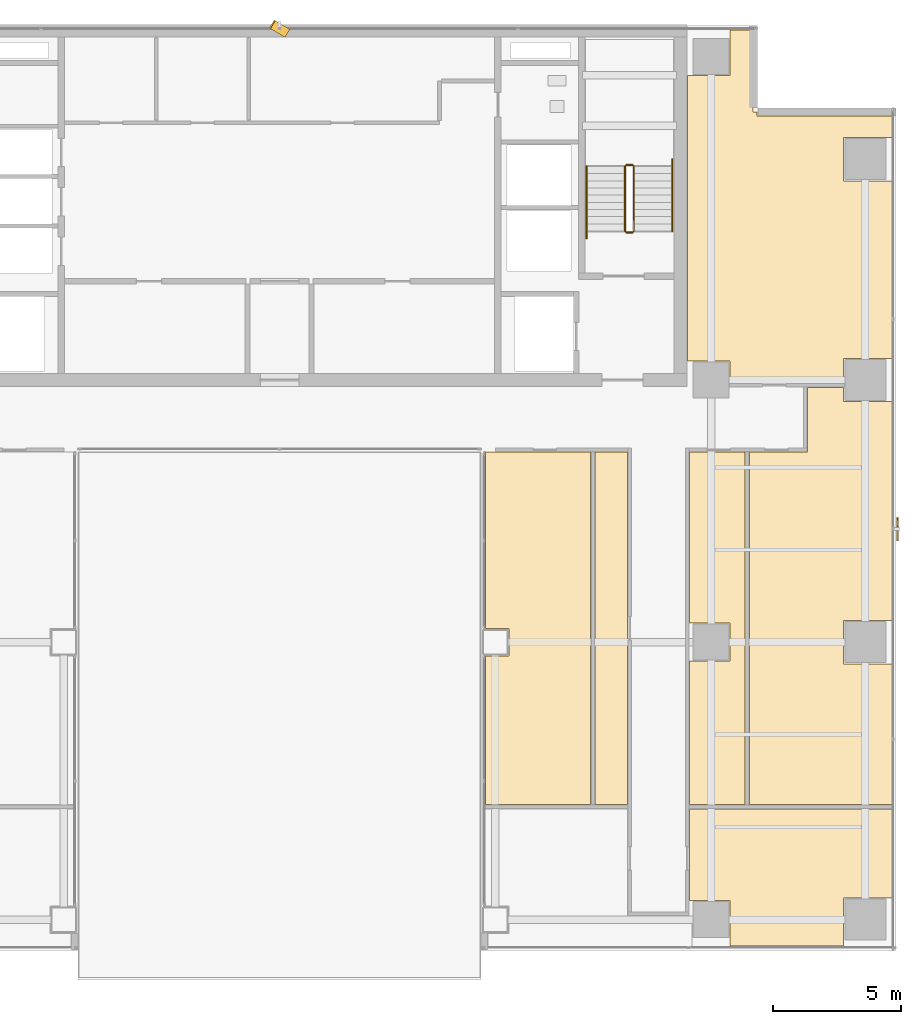
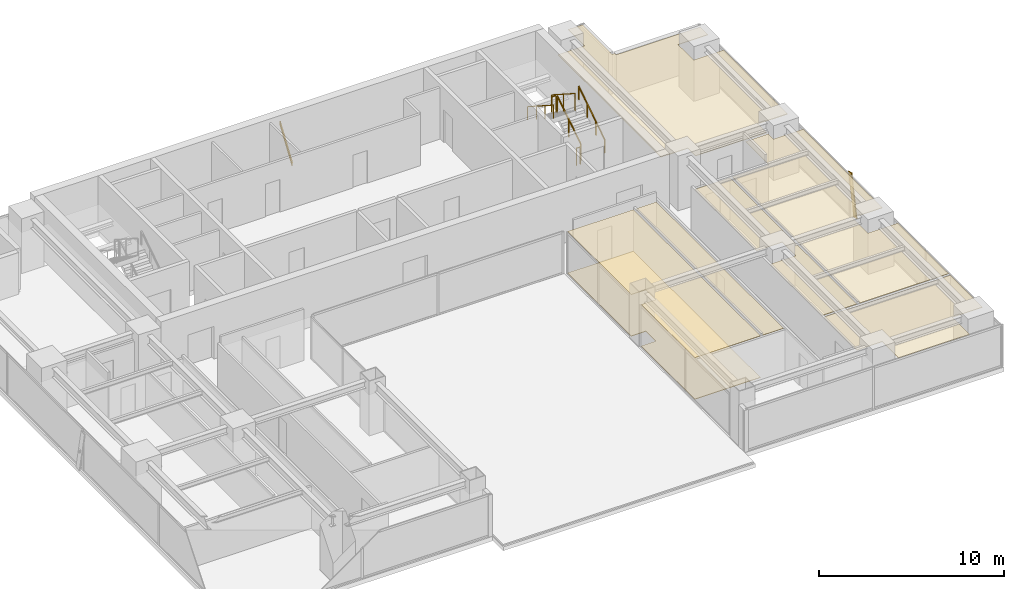
# One storey, part 29 of 30: 7 coverings, 6 railings, 2 shading devices.
"""IFC4 building model written with IfcOpenShell, lengths in metres."""

from ifc_helpers import new_model, si_unit, direction, frame, origin, origin_2d, place, context, subcontext, project, spatial, polyline, rectangle, outline, extrude, source, transform, mapped, material, layer, layer_set, material_profile, profile_set, type_object, element, save


model = new_model("IFC4")

# Units and contexts
model_context = context("Model", 3, precision=1e-05, world=origin(), true_north=direction((0.0, 1.0)))
body_context = subcontext(model_context, "Body", "Model", "MODEL_VIEW")
ifc_project = project(units=[si_unit("LENGTHUNIT", "METRE"), si_unit("AREAUNIT", "SQUARE_METRE"), si_unit("VOLUMEUNIT", "CUBIC_METRE"), si_unit("PLANEANGLEUNIT", "RADIAN"), si_unit("MASSUNIT", "GRAM", prefix="KILO")], contexts=[model_context])

# Site, building, storey
site_placement = place(None, origin())
site = spatial("IfcSite", under=ifc_project, at=site_placement, CompositionType="ELEMENT")
building_placement = place(site_placement, origin())
building = spatial("IfcBuilding", under=site, at=building_placement, Name="Sumidabori Civic Tower", CompositionType="ELEMENT")
storey_placement = place(building_placement, frame((0.0, 0.0, 196.39990234375)))
storey = spatial("IfcBuildingStorey", under=building, at=storey_placement, Name="L50", CompositionType="ELEMENT", Elevation=196.39990234375)

# Coverings
ifc_material_1 = material(Name="Acoustic Mineral Gypsum Ceiling Tile")
ifc_layer_1 = layer(ifc_material_1, 0.034912109375, Name="Acoustic Mineral Gypsum Ceiling Tile")
ifc_layer_set_1 = layer_set([ifc_layer_1], Name="Acoustic Mineral Gypsum Ceiling Tile")
covering_type_1 = type_object("IfcCoveringType", Name="CV-CEIL-AC1", PredefinedType="CEILING", material=ifc_layer_set_1)
covering_1_placement = place(storey_placement, frame((0.0, 0.0, 2.72998046875)))
element("IfcCovering", 1, at=covering_1_placement, inside=storey, type_object=covering_type_1, Name="Room Acoustic Ceiling L50-02", PredefinedType="CEILING", context=body_context, shape_type="SweptSolid", body=[
    extrude(outline(polyline([(20.554931640625, 10.10498046875), (17.5400390625, 10.10498046875), (17.5400390625, 10.93994140625), (15.8779296875, 10.93994140625), (15.8779296875, 22.06005859375), (17.5400390625, 22.06005859375), (17.5400390625, 23.830078125), (18.429931640625, 23.830078125), (18.429931640625, 20.6298828125), (18.592041015625, 20.6298828125), (18.592041015625, 20.471923828125), (23.830078125, 20.471923828125), (23.830078125, 19.639892578125), (21.9599609375, 19.639892578125), (21.9599609375, 17.9599609375), (23.830078125, 17.9599609375), (23.830078125, 11.0400390625), (21.9599609375, 11.0400390625), (21.9599609375, 10.08740234375), (20.554931640625, 10.08740234375), (20.554931640625, 10.10498046875)])), origin(), (0.0, 0.0, 1.0), 0.03515625),
])
covering_2_placement = place(storey_placement, frame((0.0, 0.0, 2.72998046875)))
element("IfcCovering", 2, at=covering_2_placement, inside=storey, type_object=covering_type_1, Name="Room Acoustic Ceiling L50-04", PredefinedType="CEILING", context=body_context, shape_type="SweptSolid", body=[
    extrude(outline(polyline([(18.28759765625, 7.39501953125), (20.554931640625, 7.39501953125), (20.554931640625, 9.91259765625), (21.9599609375, 9.91259765625), (21.9599609375, 9.360107421875), (23.830078125, 9.360107421875), (23.830078125, 0.840087890625), (21.9599609375, 0.840087890625), (21.9599609375, -0.840087890625), (23.830078125, -0.840087890625), (23.830078125, -6.3125), (18.28759765625, -6.3125), (18.28759765625, 7.39501953125)])), origin(), (0.0, 0.0, 1.0), 0.03515625),
])
covering_3_placement = place(storey_placement, frame((0.0, 0.0, 2.72998046875)))
element("IfcCovering", 3, at=covering_3_placement, inside=storey, type_object=covering_type_1, Name="Room Acoustic Ceiling L50-07", PredefinedType="CEILING", context=body_context, shape_type="SweptSolid", body=[
    extrude(outline(polyline([(8.02001953125, -6.3125), (8.02001953125, -0.5400390625), (8.93994140625, -0.5400390625), (8.93994140625, 0.5400390625), (8.02001953125, 0.5400390625), (8.02001953125, 7.39501953125), (12.112548828125, 7.39501953125), (12.112548828125, -6.3125), (8.02001953125, -6.3125)])), origin(), (0.0, 0.0, 1.0), 0.03515625),
])
covering_4_placement = place(storey_placement, frame((0.0, 0.0, 2.72998046875)))
element("IfcCovering", 4, at=covering_4_placement, inside=storey, type_object=covering_type_1, Name="Room Acoustic Ceiling L50-08", PredefinedType="CEILING", context=body_context, shape_type="SweptSolid", body=[
    extrude(outline(polyline([(15.955078125, -0.739990234375), (17.5400390625, -0.739990234375), (17.5400390625, 0.739990234375), (15.955078125, 0.739990234375), (15.955078125, 7.39501953125), (18.112548828125, 7.39501953125), (18.112548828125, -6.3125), (15.955078125, -6.3125), (15.955078125, -0.739990234375)])), origin(), (0.0, 0.0, 1.0), 0.03515625),
])
covering_5_placement = place(storey_placement, frame((0.0, 0.0, 2.72998046875)))
element("IfcCovering", 5, at=covering_5_placement, inside=storey, type_object=covering_type_1, Name="Room Acoustic Ceiling L50-10", PredefinedType="CEILING", context=body_context, shape_type="SweptSolid", body=[
    extrude(outline(polyline([(12.28759765625, -6.3125), (12.28759765625, 7.39501953125), (13.544921875, 7.39501953125), (13.544921875, -6.3125), (12.28759765625, -6.3125)])), origin(), (0.0, 0.0, 1.0), 0.03515625),
])
covering_6_placement = place(storey_placement, frame((0.0, 0.0, 2.72998046875)))
element("IfcCovering", 6, at=covering_6_placement, inside=storey, type_object=covering_type_1, Name="Room Acoustic Ceiling L50-12", PredefinedType="CEILING", context=body_context, shape_type="SweptSolid", body=[
    extrude(outline(polyline([(17.5400390625, -10.06005859375), (15.955078125, -10.06005859375), (15.955078125, -6.487548828125), (23.830078125, -6.487548828125), (23.830078125, -9.9599609375), (21.9599609375, -9.9599609375), (21.9599609375, -11.830078125), (17.5400390625, -11.830078125), (17.5400390625, -10.06005859375)])), origin(), (0.0, 0.0, 1.0), 0.03515625),
])
ifc_material_2 = material(Name="Honed Terrazzo Tile Flooring")
ifc_layer_2 = layer(ifc_material_2, 0.030029296875, Name="Honed Terrazzo Tile Flooring")
ifc_layer_set_2 = layer_set([ifc_layer_2], Name="Honed Terrazzo Tile Flooring")
covering_type_2 = type_object("IfcCoveringType", Name="CV-FLR-TER", PredefinedType="FLOORING", material=ifc_layer_set_2)
covering_7_placement = place(storey_placement, origin())
element("IfcCovering", 7, at=covering_7_placement, inside=storey, type_object=covering_type_2, Name="Room Terrazzo Floor L50-07", PredefinedType="FLOORING", context=body_context, shape_type="SweptSolid", body=[
    extrude(outline(polyline([(8.02001953125, -6.3125), (8.02001953125, -0.5400390625), (8.93994140625, -0.5400390625), (8.93994140625, 0.5400390625), (8.02001953125, 0.5400390625), (8.02001953125, 7.39501953125), (12.112548828125, 7.39501953125), (12.112548828125, -6.3125), (8.02001953125, -6.3125)])), origin(), (0.0, 0.0, 1.0), 0.030029296875),
])

# Railings
ifc_material_3 = material(Name="Stainless Steel Hairline Finish", Category="steel")
railing_type_1 = type_object("IfcRailingType", Name="RL-HANDRAIL", PredefinedType="HANDRAIL", material=ifc_material_3)
railing_1_placement = place(storey_placement, frame((15.2900390625, 16.0, 0.18017578125)))
element("IfcRailing", 8, at=railing_1_placement, inside=storey, type_object=railing_type_1, Name="L50 ST-2 stair handrail 1", PredefinedType="HANDRAIL", context=body_context, shape_type="SweptSolid", body=[
    extrude(rectangle(XDim=0.048095703125, YDim=0.048095703125, at=origin_2d()), frame((0.0, 0.0, 0.8759765625), z_axis=(0.0, 0.840675598268, 0.541539046124), x_axis=(-1.0, 0.0, 0.0)), (0.0, 0.0, 1.0), 3.330810546875),
    extrude(rectangle(XDim=0.0419921875, YDim=0.0419921875, at=origin_2d()), origin(), (0.0, 0.0, 1.0), 0.851806640625),
    extrude(rectangle(XDim=0.0419921875, YDim=0.0419921875, at=origin_2d()), frame((0.0, 0.933349609375, 0.601318359375)), (0.0, 0.0, 1.0), 0.851806640625),
    extrude(rectangle(XDim=0.0419921875, YDim=0.0419921875, at=origin_2d()), frame((0.0, 1.86669921875, 1.202392578125)), (0.0, 0.0, 1.0), 0.851806640625),
    extrude(rectangle(XDim=0.0419921875, YDim=0.0419921875, at=origin_2d()), frame((0.0, 2.800048828125, 1.8037109375)), (0.0, 0.0, 1.0), 0.851806640625),
])
railing_2_placement = place(storey_placement, frame((11.949951171875, 18.52001953125, 1.97998046875)))
element("IfcRailing", 9, at=railing_2_placement, inside=storey, type_object=railing_type_1, Name="L50 ST-2 stair handrail 2", PredefinedType="HANDRAIL", context=body_context, shape_type="SweptSolid", body=[
    extrude(rectangle(XDim=0.048095703125, YDim=0.048095703125, at=origin_2d()), frame((0.0, 0.0, 0.8759765625), z_axis=(0.0, -0.84064222762, 0.54159084662), x_axis=(1.0, 0.0, 0.0)), (0.0, 0.0, 1.0), 3.330810546875),
    extrude(rectangle(XDim=0.0419921875, YDim=0.0419921875, at=origin_2d()), origin(), (0.0, 0.0, 1.0), 0.851806640625),
    extrude(rectangle(XDim=0.0419921875, YDim=0.0419921875, at=origin_2d()), frame((0.0, -0.933349609375, 0.601318359375)), (0.0, 0.0, 1.0), 0.851806640625),
    extrude(rectangle(XDim=0.0419921875, YDim=0.0419921875, at=origin_2d()), frame((0.0, -1.86669921875, 1.20263671875)), (0.0, 0.0, 1.0), 0.851806640625),
    extrude(rectangle(XDim=0.0419921875, YDim=0.0419921875, at=origin_2d()), frame((0.0, -2.800048828125, 1.803955078125)), (0.0, 0.0, 1.0), 0.851806640625),
])
ifc_material_4 = material(Name="Steel SN490", Category="steel")
railing_type_2 = type_object("IfcRailingType", Name="RL-STAIR-GUARD", PredefinedType="GUARDRAIL", material=ifc_material_4)
railing_3_placement = place(storey_placement, frame((13.7900390625, 16.0, 0.18017578125)))
element("IfcRailing", 10, at=railing_3_placement, inside=storey, type_object=railing_type_2, Name="L50 ST-2 stair guard 1", PredefinedType="GUARDRAIL", context=body_context, shape_type="SweptSolid", body=[
    extrude(rectangle(XDim=0.048095703125, YDim=0.048095703125, at=origin_2d()), frame((0.0, 0.0, 1.1259765625), z_axis=(0.0, 0.841199657755, 0.540724639528), x_axis=(-1.0, 0.0, 0.0)), (0.0, 0.0, 1.0), 2.995849609375),
    extrude(rectangle(XDim=0.0419921875, YDim=0.0419921875, at=origin_2d()), origin(), (0.0, 0.0, 1.0), 1.101806640625),
    extrude(rectangle(XDim=0.0419921875, YDim=0.0419921875, at=origin_2d()), frame((0.0, 1.260009765625, 0.81005859375)), (0.0, 0.0, 1.0), 1.101806640625),
    extrude(rectangle(XDim=0.0419921875, YDim=0.0419921875, at=origin_2d()), frame((0.0, 2.52001953125, 1.619873046875)), (0.0, 0.0, 1.0), 1.101806640625),
])
railing_4_placement = place(storey_placement, frame((13.739990234375, 18.570068359375, 1.800048828125)))
element("IfcRailing", 11, at=railing_4_placement, inside=storey, type_object=railing_type_2, Name="L50 ST-2 stair guard 2", PredefinedType="GUARDRAIL", context=body_context, shape_type="SweptSolid", body=[
    extrude(rectangle(XDim=0.048095703125, YDim=0.048095703125, at=origin_2d()), frame((0.0, 0.0, 1.1259765625), z_axis=(-1.0, 0.0, 0.0), x_axis=(0.0, -1.0, 0.0)), (0.0, 0.0, 1.0), 0.239990234375),
    extrude(rectangle(XDim=0.0419921875, YDim=0.0419921875, at=origin_2d()), origin(), (0.0, 0.0, 1.0), 1.101806640625),
    extrude(rectangle(XDim=0.0419921875, YDim=0.0419921875, at=origin_2d()), frame((-0.239990234375, 0.0, 0.0)), (0.0, 0.0, 1.0), 1.101806640625),
])
railing_5_placement = place(storey_placement, frame((13.449951171875, 18.52001953125, 1.97998046875)))
element("IfcRailing", 12, at=railing_5_placement, inside=storey, type_object=railing_type_2, Name="L50 ST-2 stair guard 3", PredefinedType="GUARDRAIL", context=body_context, shape_type="SweptSolid", body=[
    extrude(rectangle(XDim=0.048095703125, YDim=0.048095703125, at=origin_2d()), frame((0.0, 0.0, 1.1259765625), z_axis=(0.0, -0.841162588446, 0.540782303519), x_axis=(1.0, 0.0, 0.0)), (0.0, 0.0, 1.0), 2.995849609375),
    extrude(rectangle(XDim=0.0419921875, YDim=0.0419921875, at=origin_2d()), origin(), (0.0, 0.0, 1.0), 1.101806640625),
    extrude(rectangle(XDim=0.0419921875, YDim=0.0419921875, at=origin_2d()), frame((0.0, -1.260009765625, 0.81005859375)), (0.0, 0.0, 1.0), 1.101806640625),
    extrude(rectangle(XDim=0.0419921875, YDim=0.0419921875, at=origin_2d()), frame((0.0, -2.52001953125, 1.6201171875)), (0.0, 0.0, 1.0), 1.101806640625),
])
railing_6_placement = place(storey_placement, frame((13.739990234375, 15.949951171875, 0.0)))
element("IfcRailing", 13, at=railing_6_placement, inside=storey, type_object=railing_type_2, Name="L50 ST-2 stair guard 4", PredefinedType="GUARDRAIL", context=body_context, shape_type="SweptSolid", body=[
    extrude(rectangle(XDim=0.048095703125, YDim=0.048095703125, at=origin_2d()), frame((0.0, 0.0, 1.1259765625), z_axis=(-1.0, 0.0, 0.0), x_axis=(0.0, -1.0, 0.0)), (0.0, 0.0, 1.0), 0.239990234375),
    extrude(rectangle(XDim=0.0419921875, YDim=0.0419921875, at=origin_2d()), origin(), (0.0, 0.0, 1.0), 1.101806640625),
    extrude(rectangle(XDim=0.0419921875, YDim=0.0419921875, at=origin_2d()), frame((-0.239990234375, 0.0, 0.0)), (0.0, 0.0, 1.0), 1.101806640625),
])

# Shading devices
ifc_material_5 = material(Name="Anodised Bronze Aluminium AW-6063-T6", Category="aluminium")
ifc_material_profile = material_profile(ifc_material_5, rectangle(XDim=0.054931640625, YDim=0.360107421875, at=origin_2d()), Name="BRONZE FIN 360x55")
ifc_profile_set = profile_set([ifc_material_profile], Name="Anodised Bronze Aluminium AW-6063-T6")
shading_device_type = type_object("IfcShadingDeviceType", Name="SH-FIN-360", PredefinedType="USERDEFINED", material=ifc_profile_set)
shared_shape_1 = source(origin(), body_context, "Body", "SweptSolid", [
    extrude(rectangle(XDim=0.054931640625, YDim=0.360107421875, at=origin_2d()), origin(), (0.0, 0.0, 1.0), 2.757568359375),
])
shading_device_1_placement = place(storey_placement, frame((24.050048828125, 4.1201171875, 0.02001953125), z_axis=(0.0, 0.203006661687, 0.979177356412), x_axis=(-1.0, 0.0, 0.0)))
element("IfcShadingDevice", 14, at=shading_device_1_placement, inside=storey, type_object=shading_device_type, Name="Bronze Anodised Diagonal Fin L50-02", ObjectType="FIN", PredefinedType="USERDEFINED", context=body_context, shape_type="MappedRepresentation", body=[
    mapped(shared_shape_1, transform((0.0, 0.0, 0.0), x_axis=(1.0, 0.0, 0.0), y_axis=(0.0, 1.0, 0.0), z_axis=(0.0, 0.0, 1.0), scale=1.0)),
])
shared_shape_2 = source(origin(), body_context, "Body", "SweptSolid", [
    extrude(rectangle(XDim=0.054931640625, YDim=0.360107421875, at=origin_2d()), origin(), (0.0, 0.0, 1.0), 2.778564453125),
])
shading_device_2_placement = place(storey_placement, frame((0.280029296875, 23.7099609375, 0.02001953125), z_axis=(-0.201564536174, 0.122397296814, 0.971797632992), x_axis=(0.830646061104, -0.504398414611, 0.235816370319)))
element("IfcShadingDevice", 15, at=shading_device_2_placement, inside=storey, type_object=shading_device_type, Name="Bronze Anodised Diagonal Fin L50-02", ObjectType="FIN", PredefinedType="USERDEFINED", context=body_context, shape_type="MappedRepresentation", body=[
    mapped(shared_shape_2, transform((0.0, 0.0, 0.0), x_axis=(1.0, 0.0, 0.0), y_axis=(0.0, 1.0, 0.0), z_axis=(0.0, 0.0, 1.0), scale=1.0)),
])

save(model, "model.ifc")
